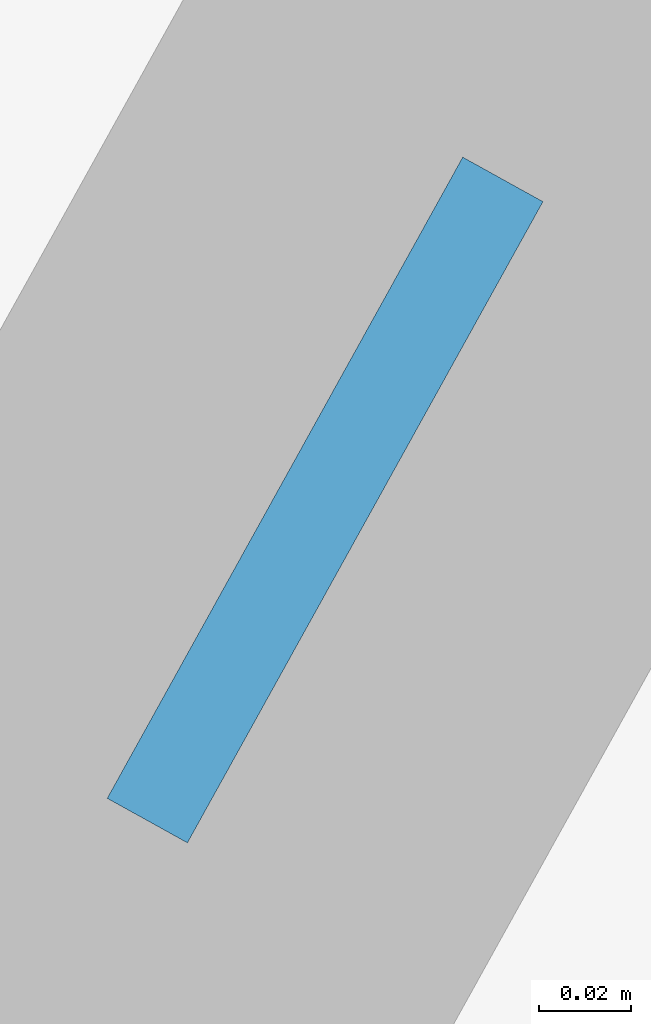
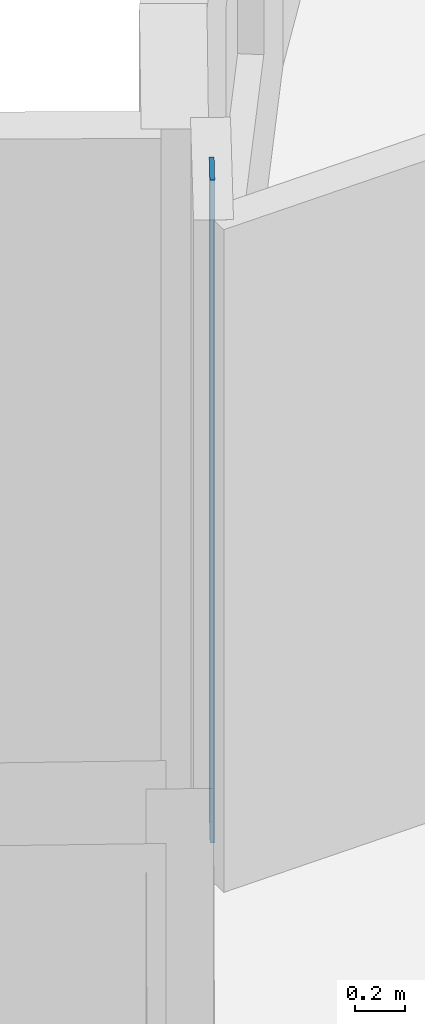
# One storey, part 2 of 10: 1 plate.
"""IFC4 building model written with IfcOpenShell, lengths in metres."""

from ifc_helpers import new_model, si_unit, direction, frame, origin, origin_2d, place, context, subcontext, project, spatial, rectangle, extrude, material, layer, layer_set, type_object, element, save


model = new_model("IFC4")

# Units and contexts
model_context = context("Model", 3, precision=1e-05, world=origin(), true_north=direction((0.0, 1.0)))
body_context = subcontext(model_context, "Body", "Model", "MODEL_VIEW")
ifc_project = project(units=[si_unit("LENGTHUNIT", "METRE"), si_unit("AREAUNIT", "SQUARE_METRE"), si_unit("VOLUMEUNIT", "CUBIC_METRE"), si_unit("PLANEANGLEUNIT", "RADIAN"), si_unit("MASSUNIT", "GRAM", prefix="KILO")], contexts=[model_context])

# Site, building, storey
site_placement = place(None, origin())
site = spatial("IfcSite", under=ifc_project, at=site_placement, CompositionType="ELEMENT")
building_placement = place(site_placement, origin())
building = spatial("IfcBuilding", under=site, at=building_placement, Name="Miruveldt Soraemaru", CompositionType="ELEMENT")
storey_placement = place(building_placement, frame((0.0, 0.0, 163.39990234375)))
storey = spatial("IfcBuildingStorey", under=building, at=storey_placement, Name="L45", CompositionType="ELEMENT", Elevation=163.39990234375)

# Plate
ifc_material = material(Name="Anodised aluminium EN AW-6063 T6", Category="aluminium")
ifc_layer = layer(ifc_material, 0.02001953125, Name="Anodised aluminium EN AW-6063 T6", Category="aluminium")
ifc_layer_set = layer_set([ifc_layer], Name="Anodised aluminium EN AW-6063 T6")
plate_type = type_object("IfcPlateType", Name="PLT-PART-TRIM", PredefinedType="SHEET", material=ifc_layer_set)
plate_placement = place(storey_placement, frame((31.17431640625, 54.87744140625, 0.0), z_axis=(0.0, 0.0, 1.0), x_axis=(0.484962262797, 0.874535078577, 0.0)))
element("IfcPlate", 1, at=plate_placement, inside=storey, type_object=plate_type, Name="L45 Partition Step Corner Trim Plate 001", PredefinedType="SHEET", context=body_context, shape_type="SweptSolid", body=[
    extrude(rectangle(XDim=0.159912109375, YDim=0.02001953125, at=origin_2d()), origin(), (0.0, 0.0, 1.0), 3.235107421875),
])

save(model, "model.ifc")
